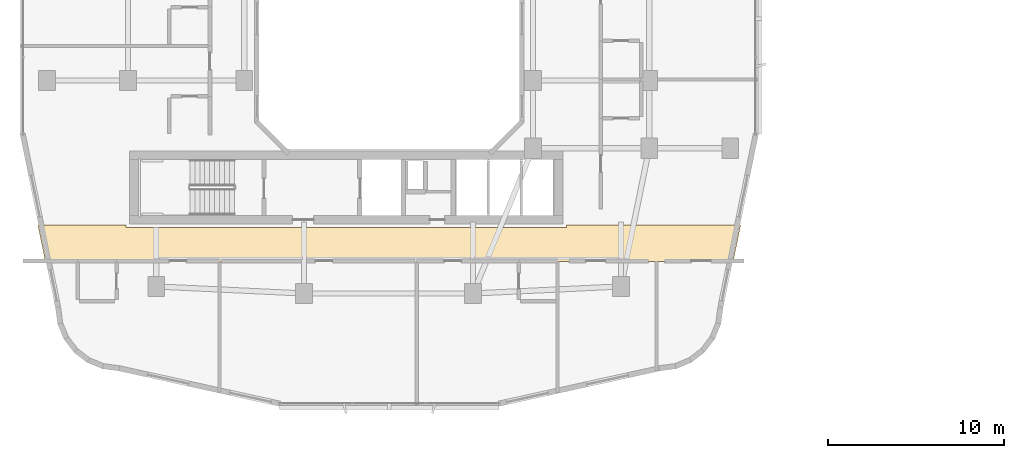
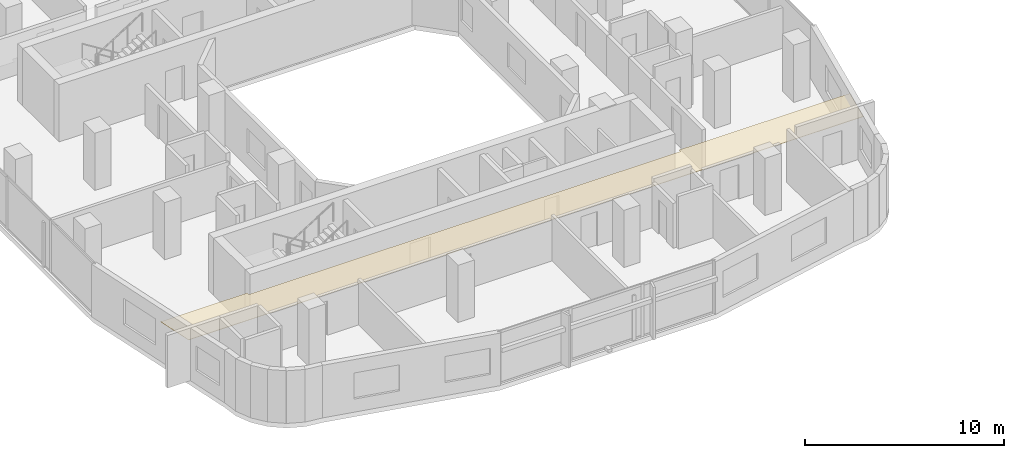
# One storey, part 24 of 27: 1 covering.
"""IFC4 building model written with IfcOpenShell, lengths in metres."""

from ifc_helpers import new_model, si_unit, derived_unit, direction, frame, origin, place, context, subcontext, project, spatial, polyline, outline, extrude, material, layer, layer_set, type_object, element, save


model = new_model("IFC4")

# Units and contexts
model_context = context("Model", 3, precision=1e-05, world=origin(), true_north=direction((0.0, 1.0)))
body_context = subcontext(model_context, "Body", "Model", "MODEL_VIEW")
ifc_project = project(units=[si_unit("LENGTHUNIT", "METRE"), si_unit("AREAUNIT", "SQUARE_METRE"), si_unit("VOLUMEUNIT", "CUBIC_METRE"), si_unit("PLANEANGLEUNIT", "RADIAN"), si_unit("MASSUNIT", "GRAM", prefix="KILO"), derived_unit("THERMALTRANSMITTANCEUNIT", [(si_unit("POWERUNIT", "WATT"), 1), (si_unit("LENGTHUNIT", "METRE"), -2), (si_unit("THERMODYNAMICTEMPERATUREUNIT", "KELVIN"), -1)])], contexts=[model_context])

# Site, building, storey
site_placement = place(None, origin())
site = spatial("IfcSite", under=ifc_project, at=site_placement, CompositionType="ELEMENT")
building_placement = place(site_placement, origin())
building = spatial("IfcBuilding", under=site, at=building_placement, Name="Kivonza Crest Hotel", CompositionType="ELEMENT")
storey_placement = place(building_placement, frame((0.0, 0.0, 73.0)))
storey = spatial("IfcBuildingStorey", under=building, at=storey_placement, Name="L19", CompositionType="ELEMENT", Elevation=73.0)

# Covering
ifc_material = material(Name="Mineral-fibre acoustic ceiling tile", Category="gypsum")
ifc_layer = layer(ifc_material, 0.02490234375)
ifc_layer_set = layer_set([ifc_layer], Name="Mineral-fibre acoustic ceiling tile")
covering_type = type_object("IfcCoveringType", Name="CV-CEIL-ACOU", PredefinedType="CEILING", material=ifc_layer_set)
covering_placement = place(storey_placement, frame((0.0, 0.0, 2.449951171875)))
element("IfcCovering", 1, at=covering_placement, inside=storey, type_object=covering_type, Name="L19 Hotel South Guest Corridor suspended ceiling", PredefinedType="CEILING", context=body_context, shape_type="SweptSolid", body=[
    extrude(outline(polyline([(40.573974609375, 11.2099609375), (40.998046875, 13.2900390625), (31.10009765625, 13.2900390625), (31.10009765625, 13.139892578125), (6.10009765625, 13.139892578125), (6.10009765625, 13.2900390625), (1.08203125, 13.2900390625), (1.506103515625, 11.2099609375), (40.573974609375, 11.2099609375)])), origin(), (0.0, 0.0, 1.0), 0.025146484375),
])

save(model, "model.ifc")
